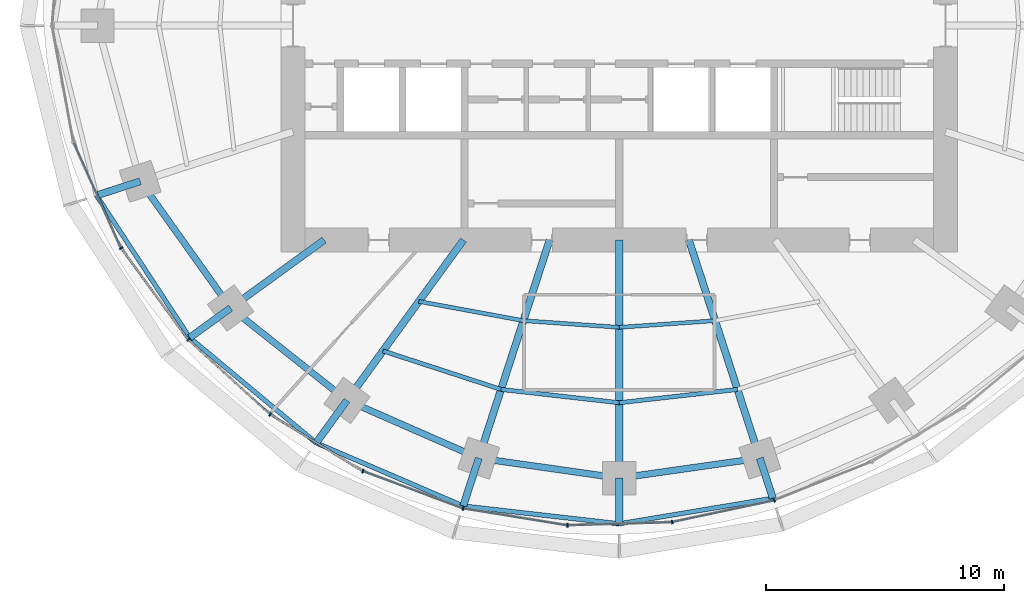
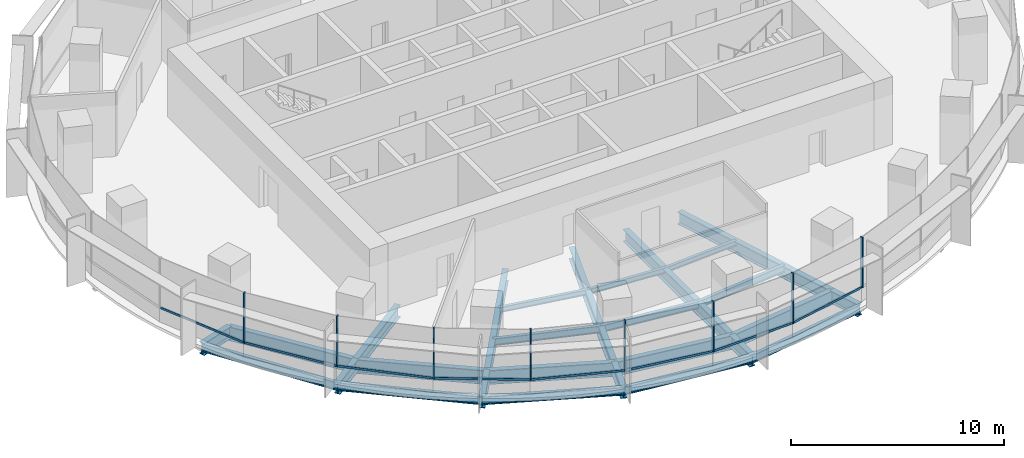
# One storey, part 2 of 14: 27 beams, 16 members, 2 elements without a shape of their own.
"""IFC4 building model written with IfcOpenShell, lengths in metres."""

from ifc_helpers import new_model, si_unit, direction, frame, origin, origin_2d, place, context, subcontext, project, spatial, rectangle, i_section, extrude, material, material_profile, profile_set, type_object, element, aggregate, save


model = new_model("IFC4")

# Units and contexts
model_context = context("Model", 3, precision=1e-05, world=origin(), true_north=direction((0.0, 1.0)))
body_context = subcontext(model_context, "Body", "Model", "MODEL_VIEW")
ifc_project = project(units=[si_unit("LENGTHUNIT", "METRE"), si_unit("AREAUNIT", "SQUARE_METRE"), si_unit("VOLUMEUNIT", "CUBIC_METRE"), si_unit("PLANEANGLEUNIT", "RADIAN"), si_unit("MASSUNIT", "GRAM", prefix="KILO")], contexts=[model_context])

# Site, building, storey
site_placement = place(None, origin())
site = spatial("IfcSite", under=ifc_project, at=site_placement, CompositionType="ELEMENT")
building_placement = place(site_placement, origin())
building = spatial("IfcBuilding", under=site, at=building_placement, Name="Marramba Exchange Tower", CompositionType="ELEMENT")
storey_placement = place(building_placement, frame((0.0, 0.0, 242.300048828125)))
storey = spatial("IfcBuildingStorey", under=building, at=storey_placement, Name="L59", CompositionType="ELEMENT", Elevation=242.300048828125)

# Beams
ifc_material_1 = material(Name="Steel AS/NZS 3679.2 grade 300", Category="steel")
ifc_material_profile_1 = material_profile(ifc_material_1, i_section(OverallWidth=0.300048828125, OverallDepth=0.699951171875, WebThickness=0.010009765625, FlangeThickness=0.031982421875, at=origin_2d()), Name="700WB173")
ifc_profile_set_1 = profile_set([ifc_material_profile_1], Name="Steel AS/NZS 3679.2 grade 300")
beam_type_1 = type_object("IfcBeamType", Name="Cantilever girder 700WB173", PredefinedType="BEAM", material=ifc_profile_set_1)
beam_1_placement = place(storey_placement, frame((-20.109375, -6.533935546875, -0.510009765625), z_axis=(-0.951071238541, -0.308971680287, 0.0), x_axis=(0.308971680287, -0.951071238541, 0.0)))
element("IfcBeam", 1, at=beam_1_placement, inside=storey, type_object=beam_type_1, Name="Cantilever girder L59 TC12", PredefinedType="BEAM", context=body_context, shape_type="SweptSolid", body=[
    extrude(i_section(OverallWidth=0.300048828125, OverallDepth=0.699951171875, WebThickness=0.010009765625, FlangeThickness=0.031982421875, at=origin_2d()), origin(), (0.0, 0.0, 1.0), 1.930419921875),
])
beam_2_placement = place(storey_placement, frame((-16.3154296875, -11.853759765625, -0.510009765625), z_axis=(-0.808969966943, -0.587849974555, 0.0), x_axis=(0.587849974555, -0.808969966943, 0.0)))
element("IfcBeam", 2, at=beam_2_placement, inside=storey, type_object=beam_type_1, Name="Cantilever girder L59 TC13", PredefinedType="BEAM", context=body_context, shape_type="SweptSolid", body=[
    extrude(i_section(OverallWidth=0.300048828125, OverallDepth=0.699951171875, WebThickness=0.010009765625, FlangeThickness=0.031982421875, at=origin_2d()), origin(), (0.0, 0.0, 1.0), 2.12109375),
])
beam_3_placement = place(storey_placement, frame((-11.430419921875, -15.732666015625, -0.510009765625), z_axis=(-0.587789596657, -0.809013837992, 0.0), x_axis=(0.809013837992, -0.587789596657, 0.0)))
element("IfcBeam", 3, at=beam_3_placement, inside=storey, type_object=beam_type_1, Name="Cantilever girder L59 TC14", PredefinedType="BEAM", context=body_context, shape_type="SweptSolid", body=[
    extrude(i_section(OverallWidth=0.300048828125, OverallDepth=0.699951171875, WebThickness=0.010009765625, FlangeThickness=0.031982421875, at=origin_2d()), origin(), (0.0, 0.0, 1.0), 2.203857421875),
])
beam_4_placement = place(storey_placement, frame((-5.899658203125, -18.156982421875, -0.510009765625), z_axis=(-0.308971068529, -0.951071437281, 0.0), x_axis=(0.951071437281, -0.308971068529, 0.0)))
element("IfcBeam", 4, at=beam_4_placement, inside=storey, type_object=beam_type_1, Name="Cantilever girder L59 TC15", PredefinedType="BEAM", context=body_context, shape_type="SweptSolid", body=[
    extrude(i_section(OverallWidth=0.300048828125, OverallDepth=0.699951171875, WebThickness=0.010009765625, FlangeThickness=0.031982421875, at=origin_2d()), origin(), (0.0, 0.0, 1.0), 2.112060546875),
])
beam_5_placement = place(storey_placement, frame((0.0, -18.99609375, -0.510009765625), z_axis=(0.0, -1.0, 0.0), x_axis=(1.0, 0.0, 0.0)))
element("IfcBeam", 5, at=beam_5_placement, inside=storey, type_object=beam_type_1, Name="Cantilever girder L59 TC16", PredefinedType="BEAM", context=body_context, shape_type="SweptSolid", body=[
    extrude(i_section(OverallWidth=0.300048828125, OverallDepth=0.699951171875, WebThickness=0.010009765625, FlangeThickness=0.031982421875, at=origin_2d()), origin(), (0.0, 0.0, 1.0), 1.917724609375),
])
beam_6_placement = place(storey_placement, frame((5.899658203125, -18.156982421875, -0.510009765625), z_axis=(0.308926813415, -0.951085813138, 0.0), x_axis=(0.951085813138, 0.308926813415, 0.0)))
element("IfcBeam", 6, at=beam_6_placement, inside=storey, type_object=beam_type_1, Name="Cantilever girder L59 TC17", PredefinedType="BEAM", context=body_context, shape_type="SweptSolid", body=[
    extrude(i_section(OverallWidth=0.300048828125, OverallDepth=0.699951171875, WebThickness=0.010009765625, FlangeThickness=0.031982421875, at=origin_2d()), origin(), (0.0, 0.0, 1.0), 1.767822265625),
])
ifc_material_2 = material(Name="Steel AS/NZS 3679.1 grade 300", Category="steel")
ifc_material_profile_2 = material_profile(ifc_material_2, i_section(OverallWidth=0.166015625, OverallDepth=0.306884765625, WebThickness=0.006591796875, FlangeThickness=0.01171875, FilletRadius=0.011474609375, at=origin_2d()), Name="310UB46.2")
ifc_profile_set_2 = profile_set([ifc_material_profile_2], Name="Steel AS/NZS 3679.1 grade 300")
beam_type_2 = type_object("IfcBeamType", Name="Floor joist 310UB46.2", PredefinedType="JOIST", material=ifc_profile_set_2)
beam_7_placement = place(storey_placement, frame((-8.41162109375, -11.57763671875, -0.3134765625), z_axis=(0.983455754421, -0.181148500119, 0.0), x_axis=(0.181148500119, 0.983455754421, 0.0)))
element("IfcBeam", 7, at=beam_7_placement, inside=storey, type_object=beam_type_2, Name="Joist L59 bay 14 row 1", PredefinedType="JOIST", context=body_context, shape_type="SweptSolid", body=[
    extrude(i_section(OverallWidth=0.166015625, OverallDepth=0.306884765625, WebThickness=0.006591796875, FlangeThickness=0.01171875, FilletRadius=0.011474609375, at=origin_2d()), origin(), (0.0, 0.0, 1.0), 4.4609375),
])
for number, where, z_axis, x_axis, name in (
    (8, (-4.0244140625, -12.3857421875, -0.3134765625), (0.99759625901, -0.069294328838, 0.0), (0.069294328838, 0.99759625901, 0.0), "Joist L59 bay 15 row 1"),
    (9, (0.0, -12.665283203125, -0.3134765625), (0.99759625901, 0.069294328838, 0.0), (-0.069294328838, 0.99759625901, 0.0), "Joist L59 bay 16 row 1"),
):
    element("IfcBeam", number, at=place(storey_placement, frame(where, z_axis=z_axis, x_axis=x_axis)), inside=storey, type_object=beam_type_2, Name=name, PredefinedType="JOIST", context=body_context, shape_type="SweptSolid", body=[
        extrude(i_section(OverallWidth=0.166015625, OverallDepth=0.306884765625, WebThickness=0.006591796875, FlangeThickness=0.01171875, FilletRadius=0.011474609375, at=origin_2d()), origin(), (0.0, 0.0, 1.0), 4.0341796875),
    ])
ifc_material_profile_3 = material_profile(ifc_material_2, i_section(OverallWidth=0.177978515625, OverallDepth=0.406005859375, WebThickness=0.0078125, FlangeThickness=0.0126953125, FilletRadius=0.011474609375, at=origin_2d()), Name="410UB59.7")
ifc_profile_set_3 = profile_set([ifc_material_profile_3], Name="Steel AS/NZS 3679.1 grade 300")
beam_type_3 = type_object("IfcBeamType", Name="Floor joist 410UB59.7", PredefinedType="JOIST", material=ifc_profile_set_3)
beam_8_placement = place(storey_placement, frame((-9.9208984375, -13.655029296875, -0.363037109375), z_axis=(0.950764024931, -0.309915744834, 0.0), x_axis=(0.309915744834, 0.950764024931, 0.0)))
element("IfcBeam", 10, at=beam_8_placement, inside=storey, type_object=beam_type_3, Name="Joist L59 bay 14 row 2", PredefinedType="JOIST", context=body_context, shape_type="SweptSolid", body=[
    extrude(i_section(OverallWidth=0.177978515625, OverallDepth=0.406005859375, WebThickness=0.0078125, FlangeThickness=0.0126953125, FilletRadius=0.011474609375, at=origin_2d()), origin(), (0.0, 0.0, 1.0), 5.2158203125),
])
for number, where, z_axis, x_axis, name in (
    (11, (-4.9619140625, -15.271484375, -0.363037109375), (0.993712018573, -0.111966174106, 0.0), (0.111966174106, 0.993712018573, 0.0), "Joist L59 bay 15 row 2"),
    (12, (0.0, -15.83056640625, -0.363037109375), (0.993712018573, 0.111966174106, 0.0), (-0.111966174106, 0.993712018573, 0.0), "Joist L59 bay 16 row 2"),
):
    element("IfcBeam", number, at=place(storey_placement, frame(where, z_axis=z_axis, x_axis=x_axis)), inside=storey, type_object=beam_type_3, Name=name, PredefinedType="JOIST", context=body_context, shape_type="SweptSolid", body=[
        extrude(i_section(OverallWidth=0.177978515625, OverallDepth=0.406005859375, WebThickness=0.0078125, FlangeThickness=0.0126953125, FilletRadius=0.011474609375, at=origin_2d()), origin(), (0.0, 0.0, 1.0), 4.993408203125),
    ])

# Curtain wall, members
ifc_material_3 = material(Name="Aluminium framing, bronze anodised", Category="aluminium")
curtain_wall_type = type_object("IfcCurtainWallType", Name="Office ribbon curtain wall", PredefinedType="USERDEFINED", material=ifc_material_3)
curtain_wall_1_placement = place(storey_placement, origin())
curtain_wall_1 = element("IfcCurtainWall", 13, at=curtain_wall_1_placement, inside=storey, type_object=curtain_wall_type, Name="Curtain wall CW4 L59 F16-F20", ObjectType="RIBBON CURTAIN WALL", PredefinedType="USERDEFINED")
ifc_material_4 = material(Name="Aluminium mullion, bronze anodised", Category="aluminium")
ifc_material_profile_4 = material_profile(ifc_material_4, rectangle(XDim=0.159912109375, YDim=0.06005859375, at=origin_2d()), Name="CW4 mullion 60x160")
ifc_profile_set_4 = profile_set([ifc_material_profile_4], Name="Aluminium mullion, bronze anodised")
member_type_1 = type_object("IfcMemberType", Name="Office ribbon curtain wall mullion", PredefinedType="MULLION", material=ifc_profile_set_4)
member_1_placement = place(storey_placement, frame((-20.910400390625, -9.342041015625, 0.800048828125), z_axis=(0.0, 0.0, 1.0), x_axis=(0.806508054547, 0.591223103363, 0.0)))
member_1 = element("IfcMember", 14, at=member_1_placement, type_object=member_type_1, Name="CW4 mullion 1", PredefinedType="MULLION", context=body_context, shape_type="SweptSolid", body=[
    extrude(rectangle(XDim=0.159912109375, YDim=0.06005859375, at=origin_2d()), origin(), (0.0, 0.0, 1.0), 2.89990234375),
])
member_2_placement = place(storey_placement, frame((-18.090087890625, -13.179443359375, 0.800048828125), z_axis=(0.0, 0.0, 1.0), x_axis=(0.67567103474, 0.737203264245, 0.0)))
member_2 = element("IfcMember", 15, at=member_2_placement, type_object=member_type_1, Name="CW4 mullion 1", PredefinedType="MULLION", context=body_context, shape_type="SweptSolid", body=[
    extrude(rectangle(XDim=0.159912109375, YDim=0.06005859375, at=origin_2d()), origin(), (0.0, 0.0, 1.0), 2.89990234375),
])
member_3_placement = place(storey_placement, frame((-14.655029296875, -16.320068359375, 0.800048828125), z_axis=(0.0, 0.0, 1.0), x_axis=(0.52305160869, 0.85230101176, 0.0)))
member_3 = element("IfcMember", 16, at=member_3_placement, type_object=member_type_1, Name="CW4 mullion 1", PredefinedType="MULLION", context=body_context, shape_type="SweptSolid", body=[
    extrude(rectangle(XDim=0.159912109375, YDim=0.06005859375, at=origin_2d()), origin(), (0.0, 0.0, 1.0), 2.89990234375),
])

curtain_wall_2_placement = place(storey_placement, origin())
curtain_wall_2 = element("IfcCurtainWall", 17, at=curtain_wall_2_placement, inside=storey, type_object=curtain_wall_type, Name="Curtain wall CW4 L59 F21-F25", ObjectType="RIBBON CURTAIN WALL", PredefinedType="USERDEFINED")
member_4_placement = place(storey_placement, frame((-10.76318359375, -18.70166015625, 0.800048828125), z_axis=(0.0, 0.0, 1.0), x_axis=(0.349459197687, 0.936951583142, 0.0)))
member_4 = element("IfcMember", 18, at=member_4_placement, type_object=member_type_1, Name="CW4 mullion 1", PredefinedType="MULLION", context=body_context, shape_type="SweptSolid", body=[
    extrude(rectangle(XDim=0.159912109375, YDim=0.06005859375, at=origin_2d()), origin(), (0.0, 0.0, 1.0), 2.89990234375),
])
member_5_placement = place(storey_placement, frame((-6.553466796875, -20.265625, 0.800048828125), z_axis=(0.0, 0.0, 1.0), x_axis=(0.161145726194, 0.986930623159, 0.0)))
member_5 = element("IfcMember", 19, at=member_5_placement, type_object=member_type_1, Name="CW4 mullion 1", PredefinedType="MULLION", context=body_context, shape_type="SweptSolid", body=[
    extrude(rectangle(XDim=0.159912109375, YDim=0.06005859375, at=origin_2d()), origin(), (0.0, 0.0, 1.0), 2.89990234375),
])
member_6_placement = place(storey_placement, frame((-2.174560546875, -20.974853515625, 0.800048828125), z_axis=(0.0, 0.0, 1.0), x_axis=(-0.029393451762, 0.99956791915, 0.0)))
member_6 = element("IfcMember", 20, at=member_6_placement, type_object=member_type_1, Name="CW4 mullion 1", PredefinedType="MULLION", context=body_context, shape_type="SweptSolid", body=[
    extrude(rectangle(XDim=0.159912109375, YDim=0.06005859375, at=origin_2d()), origin(), (0.0, 0.0, 1.0), 2.89990234375),
])
member_7_placement = place(storey_placement, frame((2.220458984375, -20.840087890625, 0.800048828125), z_axis=(0.0, 0.0, 1.0), x_axis=(-0.208332456608, 0.978058069607, 0.0)))
member_7 = element("IfcMember", 21, at=member_7_placement, type_object=member_type_1, Name="CW4 mullion 1", PredefinedType="MULLION", context=body_context, shape_type="SweptSolid", body=[
    extrude(rectangle(XDim=0.159912109375, YDim=0.06005859375, at=origin_2d()), origin(), (0.0, 0.0, 1.0), 2.89990234375),
])
member_8_placement = place(storey_placement, frame((6.504638671875, -19.922607421875, 0.800048828125), z_axis=(0.0, 0.0, 1.0), x_axis=(-0.367374724195, 0.93007301435, 0.0)))
member_8 = element("IfcMember", 22, at=member_8_placement, type_object=member_type_1, Name="CW4 mullion 1", PredefinedType="MULLION", context=body_context, shape_type="SweptSolid", body=[
    extrude(rectangle(XDim=0.159912109375, YDim=0.06005859375, at=origin_2d()), origin(), (0.0, 0.0, 1.0), 2.89990234375),
])

# Member
ifc_material_5 = material(Name="Aluminium transom, bronze anodised", Category="aluminium")
ifc_material_profile_5 = material_profile(ifc_material_5, rectangle(XDim=0.06005859375, YDim=0.1201171875, at=origin_2d()), Name="CW4 transom 60x120")
ifc_profile_set_5 = profile_set([ifc_material_profile_5], Name="Aluminium transom, bronze anodised")
member_type_2 = type_object("IfcMemberType", Name="Office ribbon curtain wall transom", PredefinedType="USERDEFINED", material=ifc_profile_set_5)
member_9_placement = place(storey_placement, frame((-22.888671875, -4.925048828125, 0.829833984375), z_axis=(0.407541263131, -0.913186792965, 0.0), x_axis=(0.913186792965, 0.407541263131, 0.0)))
member_9 = element("IfcMember", 23, at=member_9_placement, type_object=member_type_2, Name="CW4 sill transom", ObjectType="TRANSOM", PredefinedType="USERDEFINED", context=body_context, shape_type="SweptSolid", body=[
    extrude(rectangle(XDim=0.06005859375, YDim=0.1201171875, at=origin_2d()), origin(), (0.0, 0.0, 1.0), 4.810546875),
])

member_10_placement = place(storey_placement, frame((-20.892578125, -9.3662109375, 0.829833984375), z_axis=(0.591226373184, -0.806505657545, 0.0), x_axis=(0.806505657545, 0.591226373184, 0.0)))
member_10 = element("IfcMember", 24, at=member_10_placement, type_object=member_type_2, Name="CW4 sill transom", ObjectType="TRANSOM", PredefinedType="USERDEFINED", context=body_context, shape_type="SweptSolid", body=[
    extrude(rectangle(XDim=0.06005859375, YDim=0.1201171875, at=origin_2d()), origin(), (0.0, 0.0, 1.0), 4.702880859375),
])

member_11_placement = place(storey_placement, frame((-18.06787109375, -13.19970703125, 0.829833984375), z_axis=(0.737176195283, -0.675700567639, 0.0), x_axis=(0.675700567639, 0.737176195283, 0.0)))
member_11 = element("IfcMember", 25, at=member_11_placement, type_object=member_type_2, Name="CW4 sill transom", ObjectType="TRANSOM", PredefinedType="USERDEFINED", context=body_context, shape_type="SweptSolid", body=[
    extrude(rectangle(XDim=0.06005859375, YDim=0.1201171875, at=origin_2d()), origin(), (0.0, 0.0, 1.0), 4.5947265625),
])

member_12_placement = place(storey_placement, frame((-14.62939453125, -16.335693359375, 0.829833984375), z_axis=(0.852298011003, -0.523056498325, 0.0), x_axis=(0.523056498325, 0.852298011003, 0.0)))
member_12 = element("IfcMember", 26, at=member_12_placement, type_object=member_type_2, Name="CW4 sill transom", ObjectType="TRANSOM", PredefinedType="USERDEFINED", context=body_context, shape_type="SweptSolid", body=[
    extrude(rectangle(XDim=0.06005859375, YDim=0.1201171875, at=origin_2d()), origin(), (0.0, 0.0, 1.0), 4.503173828125),
])

aggregate(curtain_wall_1, [member_9, member_1, member_10, member_2, member_11, member_3, member_12])

member_13_placement = place(storey_placement, frame((-10.735107421875, -18.712158203125, 0.829833984375), z_axis=(0.936954830677, -0.349450490444, 0.0), x_axis=(0.349450490444, 0.936954830677, 0.0)))
member_13 = element("IfcMember", 27, at=member_13_placement, type_object=member_type_2, Name="CW4 sill transom", ObjectType="TRANSOM", PredefinedType="USERDEFINED", context=body_context, shape_type="SweptSolid", body=[
    extrude(rectangle(XDim=0.06005859375, YDim=0.1201171875, at=origin_2d()), origin(), (0.0, 0.0, 1.0), 4.431396484375),
])

member_14_placement = place(storey_placement, frame((-6.52392578125, -20.2705078125, 0.829833984375), z_axis=(0.986937225488, -0.161105285282, 0.0), x_axis=(0.161105285282, 0.986937225488, 0.0)))
member_14 = element("IfcMember", 28, at=member_14_placement, type_object=member_type_2, Name="CW4 sill transom", ObjectType="TRANSOM", PredefinedType="USERDEFINED", context=body_context, shape_type="SweptSolid", body=[
    extrude(rectangle(XDim=0.06005859375, YDim=0.1201171875, at=origin_2d()), origin(), (0.0, 0.0, 1.0), 4.37646484375),
])

member_15_placement = place(storey_placement, frame((-2.144775390625, -20.973876953125, 0.829833984375), z_axis=(0.999568338005, 0.029379204529, 0.0), x_axis=(-0.029379204529, 0.999568338005, 0.0)))
member_15 = element("IfcMember", 29, at=member_15_placement, type_object=member_type_2, Name="CW4 sill transom", ObjectType="TRANSOM", PredefinedType="USERDEFINED", context=body_context, shape_type="SweptSolid", body=[
    extrude(rectangle(XDim=0.06005859375, YDim=0.1201171875, at=origin_2d()), origin(), (0.0, 0.0, 1.0), 4.337890625),
])

member_16_placement = place(storey_placement, frame((2.249755859375, -20.833984375, 0.829833984375), z_axis=(0.978057951839, 0.208333009494, 0.0), x_axis=(-0.208333009494, 0.978057951839, 0.0)))
member_16 = element("IfcMember", 30, at=member_16_placement, type_object=member_type_2, Name="CW4 sill transom", ObjectType="TRANSOM", PredefinedType="USERDEFINED", context=body_context, shape_type="SweptSolid", body=[
    extrude(rectangle(XDim=0.06005859375, YDim=0.1201171875, at=origin_2d()), origin(), (0.0, 0.0, 1.0), 4.32177734375),
])

aggregate(curtain_wall_2, [member_4, member_13, member_5, member_14, member_6, member_15, member_7, member_16, member_8])

# Beams
ifc_material_profile_6 = material_profile(ifc_material_1, i_section(OverallWidth=0.300048828125, OverallDepth=0.699951171875, WebThickness=0.010009765625, FlangeThickness=0.031982421875, at=origin_2d()), Name="700WB173")
ifc_profile_set_6 = profile_set([ifc_material_profile_6], Name="Steel AS/NZS 3679.2 grade 300")
beam_type_4 = type_object("IfcBeamType", Name="Radial girder 700WB173", PredefinedType="BEAM", material=ifc_profile_set_6)
beam_9_placement = place(storey_placement, frame((-12.387451171875, -9.0, -0.510009765625), z_axis=(-0.809025189606, -0.58777397236, 0.0), x_axis=(0.58777397236, -0.809025189606, 0.0)))
element("IfcBeam", 31, at=beam_9_placement, inside=storey, type_object=beam_type_4, Name="Radial girder L59 TC13", PredefinedType="BEAM", context=body_context, shape_type="SweptSolid", body=[
    extrude(i_section(OverallWidth=0.300048828125, OverallDepth=0.699951171875, WebThickness=0.010009765625, FlangeThickness=0.031982421875, at=origin_2d()), origin(), (0.0, 0.0, 1.0), 4.855224609375),
])
beam_10_placement = place(storey_placement, frame((-6.538818359375, -9.0, -0.510009765625), z_axis=(-0.587787877172, -0.809015087282, 0.0), x_axis=(0.809015087282, -0.587787877172, 0.0)))
element("IfcBeam", 32, at=beam_10_placement, inside=storey, type_object=beam_type_4, Name="Radial girder L59 TC14", PredefinedType="BEAM", context=body_context, shape_type="SweptSolid", body=[
    extrude(i_section(OverallWidth=0.300048828125, OverallDepth=0.699951171875, WebThickness=0.010009765625, FlangeThickness=0.031982421875, at=origin_2d()), origin(), (0.0, 0.0, 1.0), 8.322021484375),
])
beam_11_placement = place(storey_placement, frame((-2.92431640625, -9.0, -0.510009765625), z_axis=(-0.309022428985, -0.951054750466, 0.0), x_axis=(0.951054750466, -0.309022428985, 0.0)))
element("IfcBeam", 33, at=beam_11_placement, inside=storey, type_object=beam_type_4, Name="Radial girder L59 TC15", PredefinedType="BEAM", context=body_context, shape_type="SweptSolid", body=[
    extrude(i_section(OverallWidth=0.300048828125, OverallDepth=0.699951171875, WebThickness=0.010009765625, FlangeThickness=0.031982421875, at=origin_2d()), origin(), (0.0, 0.0, 1.0), 9.628173828125),
])
beam_12_placement = place(storey_placement, frame((0.0, -9.0, -0.510009765625), z_axis=(0.0, -1.0, 0.0), x_axis=(1.0, 0.0, 0.0)))
element("IfcBeam", 34, at=beam_12_placement, inside=storey, type_object=beam_type_4, Name="Radial girder L59 TC16", PredefinedType="BEAM", context=body_context, shape_type="SweptSolid", body=[
    extrude(i_section(OverallWidth=0.300048828125, OverallDepth=0.699951171875, WebThickness=0.010009765625, FlangeThickness=0.031982421875, at=origin_2d()), origin(), (0.0, 0.0, 1.0), 9.99609375),
])
beam_13_placement = place(storey_placement, frame((2.92431640625, -9.0, -0.510009765625), z_axis=(0.309022428985, -0.951054750466, 0.0), x_axis=(0.951054750466, 0.309022428985, 0.0)))
element("IfcBeam", 35, at=beam_13_placement, inside=storey, type_object=beam_type_4, Name="Radial girder L59 TC17", PredefinedType="BEAM", context=body_context, shape_type="SweptSolid", body=[
    extrude(i_section(OverallWidth=0.300048828125, OverallDepth=0.699951171875, WebThickness=0.010009765625, FlangeThickness=0.031982421875, at=origin_2d()), origin(), (0.0, 0.0, 1.0), 9.628173828125),
])
ifc_material_profile_7 = material_profile(ifc_material_1, i_section(OverallWidth=0.27490234375, OverallDepth=0.800048828125, WebThickness=0.010009765625, FlangeThickness=0.02490234375, at=origin_2d()), Name="800WB168")
ifc_profile_set_7 = profile_set([ifc_material_profile_7], Name="Steel AS/NZS 3679.2 grade 300")
beam_type_5 = type_object("IfcBeamType", Name="Ring beam 800WB168", PredefinedType="SPANDREL", material=ifc_profile_set_7)
beam_14_placement = place(storey_placement, frame((-20.109375, -6.533935546875, -0.56005859375), z_axis=(0.580637181111, -0.814162430914, 0.0), x_axis=(0.814162430914, 0.580637181111, 0.0)))
element("IfcBeam", 36, at=beam_14_placement, inside=storey, type_object=beam_type_5, Name="Ring beam L59 TC12-TC13", PredefinedType="SPANDREL", context=body_context, shape_type="SweptSolid", body=[
    extrude(i_section(OverallWidth=0.27490234375, OverallDepth=0.800048828125, WebThickness=0.010009765625, FlangeThickness=0.02490234375, at=origin_2d()), origin(), (0.0, 0.0, 1.0), 6.5341796875),
])
beam_15_placement = place(storey_placement, frame((-16.3154296875, -11.853759765625, -0.56005859375), z_axis=(0.783139438128, -0.621846138887, 0.0), x_axis=(0.621846138887, 0.783139438128, 0.0)))
element("IfcBeam", 37, at=beam_15_placement, inside=storey, type_object=beam_type_5, Name="Ring beam L59 TC13-TC14", PredefinedType="SPANDREL", context=body_context, shape_type="SweptSolid", body=[
    extrude(i_section(OverallWidth=0.27490234375, OverallDepth=0.800048828125, WebThickness=0.010009765625, FlangeThickness=0.02490234375, at=origin_2d()), origin(), (0.0, 0.0, 1.0), 6.23779296875),
])
beam_16_placement = place(storey_placement, frame((-11.430419921875, -15.732666015625, -0.56005859375), z_axis=(0.915876892158, -0.4014592363, 0.0), x_axis=(0.4014592363, 0.915876892158, 0.0)))
element("IfcBeam", 38, at=beam_16_placement, inside=storey, type_object=beam_type_5, Name="Ring beam L59 TC14-TC15", PredefinedType="SPANDREL", context=body_context, shape_type="SweptSolid", body=[
    extrude(i_section(OverallWidth=0.27490234375, OverallDepth=0.800048828125, WebThickness=0.010009765625, FlangeThickness=0.02490234375, at=origin_2d()), origin(), (0.0, 0.0, 1.0), 6.038818359375),
])
for number, where, z_axis, x_axis, name in (
    (39, (-5.899658203125, -18.156982421875, -0.56005859375), (0.990036163016, -0.140813337152, 0.0), (0.140813337152, 0.990036163016, 0.0), "Ring beam L59 TC15-TC16"),
    (40, (0.0, -18.99609375, -0.56005859375), (0.990036163016, 0.140813337152, 0.0), (-0.140813337152, 0.990036163016, 0.0), "Ring beam L59 TC16-TC17"),
):
    element("IfcBeam", number, at=place(storey_placement, frame(where, z_axis=z_axis, x_axis=x_axis)), inside=storey, type_object=beam_type_5, Name=name, PredefinedType="SPANDREL", context=body_context, shape_type="SweptSolid", body=[
        extrude(i_section(OverallWidth=0.27490234375, OverallDepth=0.800048828125, WebThickness=0.010009765625, FlangeThickness=0.02490234375, at=origin_2d()), origin(), (0.0, 0.0, 1.0), 5.958984375),
    ])
ifc_material_profile_8 = material_profile(ifc_material_2, i_section(OverallWidth=0.19091796875, OverallDepth=0.4599609375, WebThickness=0.010009765625, FlangeThickness=0.01611328125, FilletRadius=0.011474609375, at=origin_2d()), Name="460UB82.1")
ifc_profile_set_8 = profile_set([ifc_material_profile_8], Name="Steel AS/NZS 3679.1 grade 300")
beam_type_6 = type_object("IfcBeamType", Name="Slab edge beam 460UB82.1", PredefinedType="SPANDREL", material=ifc_profile_set_8)
beam_17_placement = place(storey_placement, frame((-21.9453125, -7.13037109375, -0.39013671875), z_axis=(0.548275412052, -0.83629783722, 0.0), x_axis=(0.83629783722, 0.548275412052, 0.0)))
element("IfcBeam", 41, at=beam_17_placement, inside=storey, type_object=beam_type_6, Name="Slab edge beam L59 TC12-TC13", PredefinedType="SPANDREL", context=body_context, shape_type="SweptSolid", body=[
    extrude(i_section(OverallWidth=0.19091796875, OverallDepth=0.4599609375, WebThickness=0.010009765625, FlangeThickness=0.01611328125, FilletRadius=0.011474609375, at=origin_2d()), origin(), (0.0, 0.0, 1.0), 7.138916015625),
])
beam_18_placement = place(storey_placement, frame((-18.03125, -13.1005859375, -0.39013671875), z_axis=(0.768658895231, -0.639658895649, 0.0), x_axis=(0.639658895649, 0.768658895231, 0.0)))
element("IfcBeam", 42, at=beam_18_placement, inside=storey, type_object=beam_type_6, Name="Slab edge beam L59 TC13-TC14", PredefinedType="SPANDREL", context=body_context, shape_type="SweptSolid", body=[
    extrude(i_section(OverallWidth=0.19091796875, OverallDepth=0.4599609375, WebThickness=0.010009765625, FlangeThickness=0.01611328125, FilletRadius=0.011474609375, at=origin_2d()), origin(), (0.0, 0.0, 1.0), 6.902099609375),
])
beam_19_placement = place(storey_placement, frame((-12.725830078125, -17.515625, -0.39013671875), z_axis=(0.9189117964, -0.394463065999, 0.0), x_axis=(0.394463065999, 0.9189117964, 0.0)))
element("IfcBeam", 43, at=beam_19_placement, inside=storey, type_object=beam_type_6, Name="Slab edge beam L59 TC14-TC15", PredefinedType="SPANDREL", context=body_context, shape_type="SweptSolid", body=[
    extrude(i_section(OverallWidth=0.19091796875, OverallDepth=0.4599609375, WebThickness=0.010009765625, FlangeThickness=0.01611328125, FilletRadius=0.011474609375, at=origin_2d()), origin(), (0.0, 0.0, 1.0), 6.71826171875),
])
beam_20_placement = place(storey_placement, frame((-6.55224609375, -20.165771484375, -0.39013671875), z_axis=(0.993546030009, -0.113429653325, 0.0), x_axis=(0.113429653325, 0.993546030009, 0.0)))
element("IfcBeam", 44, at=beam_20_placement, inside=storey, type_object=beam_type_6, Name="Slab edge beam L59 TC15-TC16", PredefinedType="SPANDREL", context=body_context, shape_type="SweptSolid", body=[
    extrude(i_section(OverallWidth=0.19091796875, OverallDepth=0.4599609375, WebThickness=0.010009765625, FlangeThickness=0.01611328125, FilletRadius=0.011474609375, at=origin_2d()), origin(), (0.0, 0.0, 1.0), 6.5947265625),
])
beam_21_placement = place(storey_placement, frame((0.0, -20.913818359375, -0.39013671875), z_axis=(0.986365637189, 0.164568617219, 0.0), x_axis=(-0.164568617219, 0.986365637189, 0.0)))
element("IfcBeam", 45, at=beam_21_placement, inside=storey, type_object=beam_type_6, Name="Slab edge beam L59 TC16-TC17", PredefinedType="SPANDREL", context=body_context, shape_type="SweptSolid", body=[
    extrude(i_section(OverallWidth=0.19091796875, OverallDepth=0.4599609375, WebThickness=0.010009765625, FlangeThickness=0.01611328125, FilletRadius=0.011474609375, at=origin_2d()), origin(), (0.0, 0.0, 1.0), 6.534912109375),
])

save(model, "model.ifc")
